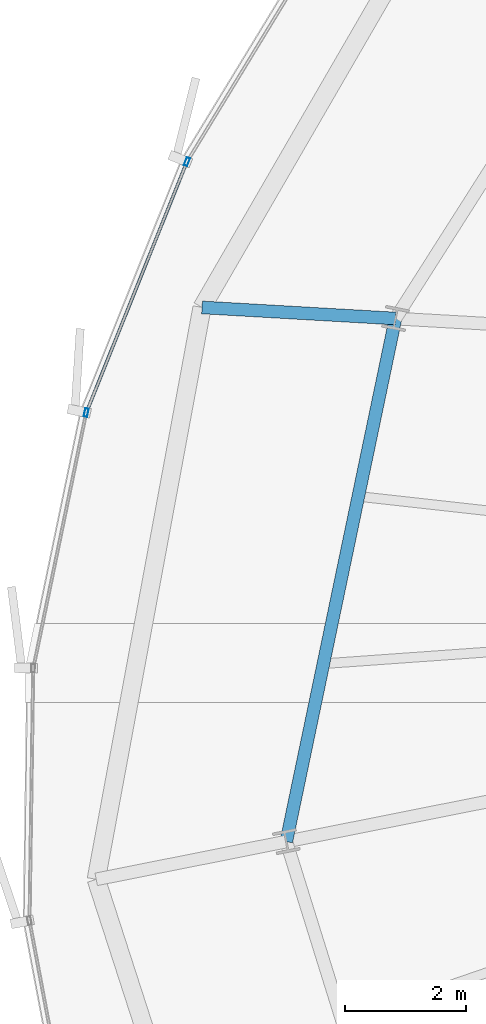
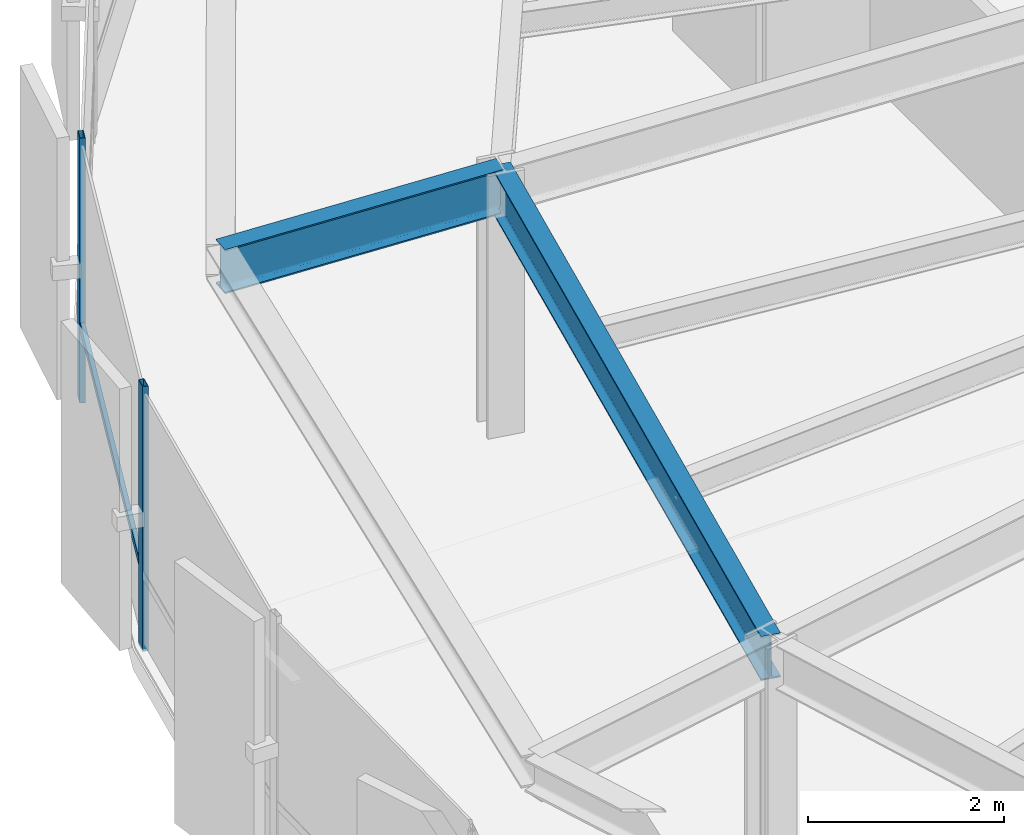
# One storey, part 10 of 36: 3 members, 2 beams, 1 element without a shape of its own.
"""IFC4 building model written with IfcOpenShell, lengths in metres."""

from ifc_helpers import new_model, si_unit, direction, frame, origin, origin_2d, place, context, subcontext, project, spatial, hollow_rectangle, i_section, extrude, source, transform, mapped, material, layer, layer_set, material_profile, profile_set, type_object, element, aggregate, save


model = new_model("IFC4")

# Units and contexts
model_context = context("Model", 3, precision=1e-05, world=origin(), true_north=direction((0.0, 1.0)))
body_context = subcontext(model_context, "Body", "Model", "MODEL_VIEW")
ifc_project = project(units=[si_unit("LENGTHUNIT", "METRE"), si_unit("AREAUNIT", "SQUARE_METRE"), si_unit("VOLUMEUNIT", "CUBIC_METRE"), si_unit("PLANEANGLEUNIT", "RADIAN"), si_unit("MASSUNIT", "GRAM", prefix="KILO"), si_unit("THERMODYNAMICTEMPERATUREUNIT", "KELVIN")], contexts=[model_context])

# Site, building, storey
site_placement = place(None, origin())
site = spatial("IfcSite", under=ifc_project, at=site_placement, CompositionType="ELEMENT")
building_placement = place(site_placement, origin())
building = spatial("IfcBuilding", under=site, at=building_placement, Name="Kethvar Cultural Tower", CompositionType="ELEMENT")
storey_placement = place(building_placement, frame((0.0, 0.0, 150.10009765625)))
storey = spatial("IfcBuildingStorey", under=building, at=storey_placement, Name="L38", CompositionType="ELEMENT", Elevation=150.10009765625)

# Beams
ifc_material_1 = material(Name="Steel S355J2", Category="steel")
ifc_material_profile_1 = material_profile(ifc_material_1, i_section(OverallWidth=0.2099609375, OverallDepth=0.550048828125, WebThickness=0.010986328125, FlangeThickness=0.01708984375, FilletRadius=0.02392578125, at=origin_2d()), Name="Steel S355J2 — IPE550")
ifc_profile_set_1 = profile_set([ifc_material_profile_1], Name="Steel S355J2 — IPE550")
beam_type = type_object("IfcBeamType", Name="BM-IPE550", PredefinedType="BEAM", material=ifc_profile_set_1)
shared_shape_1 = source(origin(), body_context, "Body", "SweptSolid", [
    extrude(i_section(OverallWidth=0.2099609375, OverallDepth=0.550048828125, WebThickness=0.010986328125, FlangeThickness=0.01708984375, FilletRadius=0.02392578125, at=origin_2d()), origin(), (0.0, 0.0, 1.0), 3.2001953125),
])
beam_1_placement = place(storey_placement, frame((25.988525390625, 31.939697265625, 3.02294921875), z_axis=(-0.998357274949, 0.057295301352, 0.0), x_axis=(-0.057295301352, -0.998357274949, 0.0)))
element("IfcBeam", 1, at=beam_1_placement, inside=storey, type_object=beam_type, Name="L38 Perimeter Cantilever Beam RC-08", PredefinedType="BEAM", context=body_context, shape_type="MappedRepresentation", body=[
    mapped(shared_shape_1, transform((0.0, 0.0, 0.0), scale=1.0)),
])
shared_shape_2 = source(origin(), body_context, "Body", "SweptSolid", [
    extrude(i_section(OverallWidth=0.2099609375, OverallDepth=0.550048828125, WebThickness=0.010986328125, FlangeThickness=0.01708984375, FilletRadius=0.02392578125, at=origin_2d()), origin(), (0.0, 0.0, 1.0), 8.82421875),
])
beam_2_placement = place(storey_placement, frame((25.988525390625, 31.939697265625, 3.02294921875), z_axis=(-0.204350879122, -0.978897705688, 0.0), x_axis=(0.978897705688, -0.204350879122, 0.0)))
element("IfcBeam", 2, at=beam_2_placement, inside=storey, type_object=beam_type, Name="L38 Column Ring Tie Beam CR-08", PredefinedType="BEAM", context=body_context, shape_type="MappedRepresentation", body=[
    mapped(shared_shape_2, transform((0.0, 0.0, 0.0), scale=1.0)),
])

# Curtain wall, members
ifc_material_2 = material(Name="Aluminium 6063-T6", Category="aluminium")
ifc_layer = layer(ifc_material_2, 0.179931640625, Name="Aluminium 6063-T6", Category="aluminium")
ifc_layer_set = layer_set([ifc_layer], Name="Aluminium 6063-T6 (180 mm)")
curtain_wall_type = type_object("IfcCurtainWallType", Name="CW-SYS-04-Z34", PredefinedType="NOTDEFINED", material=ifc_layer_set)
curtain_wall_placement = place(storey_placement, origin())
curtain_wall = element("IfcCurtainWall", 3, at=curtain_wall_placement, inside=storey, type_object=curtain_wall_type, Name="L38 Curtain Wall Run 03", PredefinedType="NOTDEFINED")
ifc_material_profile_2 = material_profile(ifc_material_2, hollow_rectangle(XDim=0.06005859375, YDim=0.139892578125, WallThickness=0.0048828125, at=origin_2d()), Name="Aluminium 6063-T6 — RHS140x60x5")
ifc_profile_set_2 = profile_set([ifc_material_profile_2], Name="Aluminium 6063-T6 — RHS140x60x5")
member_type_1 = type_object("IfcMemberType", Name="CW-SYS-04-Z34-MUL", PredefinedType="MULLION", material=ifc_profile_set_2)
shared_shape_3 = source(origin(), body_context, "Body", "SweptSolid", [
    extrude(hollow_rectangle(XDim=0.06005859375, YDim=0.139892578125, WallThickness=0.0048828125, at=origin_2d()), origin(), (0.0, 0.0, 1.0), 3.2998046875),
])
member_1_placement = place(storey_placement, frame((22.54541015625, 34.52880859375, 0.0), z_axis=(0.0, 0.0, 1.0), x_axis=(0.928122414335, -0.372275145571, 0.0)))
member_1 = element("IfcMember", 4, at=member_1_placement, type_object=member_type_1, Name="CW-L38-R03 Mullion 2", PredefinedType="MULLION", context=body_context, shape_type="MappedRepresentation", body=[
    mapped(shared_shape_3, transform((0.0, 0.0, 0.0), scale=1.0)),
])
member_2_placement = place(storey_placement, frame((20.8818359375, 30.385986328125, 0.0), z_axis=(0.0, 0.0, 1.0), x_axis=(0.979212191362, -0.202838567065, 0.0)))
member_2 = element("IfcMember", 5, at=member_2_placement, type_object=member_type_1, Name="CW-L38-R03 Mullion 3", PredefinedType="MULLION", context=body_context, shape_type="MappedRepresentation", body=[
    mapped(shared_shape_3, transform((0.0, 0.0, 0.0), scale=1.0)),
])
ifc_material_profile_3 = material_profile(ifc_material_2, hollow_rectangle(XDim=0.050048828125, YDim=0.10009765625, WallThickness=0.00390625, at=origin_2d()), Name="Aluminium 6063-T6 — RHS100x50x4")
ifc_profile_set_3 = profile_set([ifc_material_profile_3], Name="Aluminium 6063-T6 — RHS100x50x4")
member_type_2 = type_object("IfcMemberType", Name="CW-SYS-04-Z34-TRN", PredefinedType="USERDEFINED", material=ifc_profile_set_3)
shared_shape_4 = source(origin(), body_context, "Body", "SweptSolid", [
    extrude(hollow_rectangle(XDim=0.050048828125, YDim=0.10009765625, WallThickness=0.00390625, at=origin_2d()), origin(), (0.0, 0.0, 1.0), 4.397216796875),
])
member_3_placement = place(storey_placement, frame((22.529296875, 34.488525390625, 0.949951171875), z_axis=(-0.372280785988, -0.928120151912, 0.0), x_axis=(0.928120151912, -0.372280785988, 0.0)))
member_3 = element("IfcMember", 6, at=member_3_placement, type_object=member_type_2, Name="CW-L38-R03 Transom 2", ObjectType="TRANSOM", PredefinedType="USERDEFINED", context=body_context, shape_type="MappedRepresentation", body=[
    mapped(shared_shape_4, transform((0.0, 0.0, 0.0), scale=1.0)),
])
aggregate(curtain_wall, [member_1, member_2, member_3])

save(model, "model.ifc")
